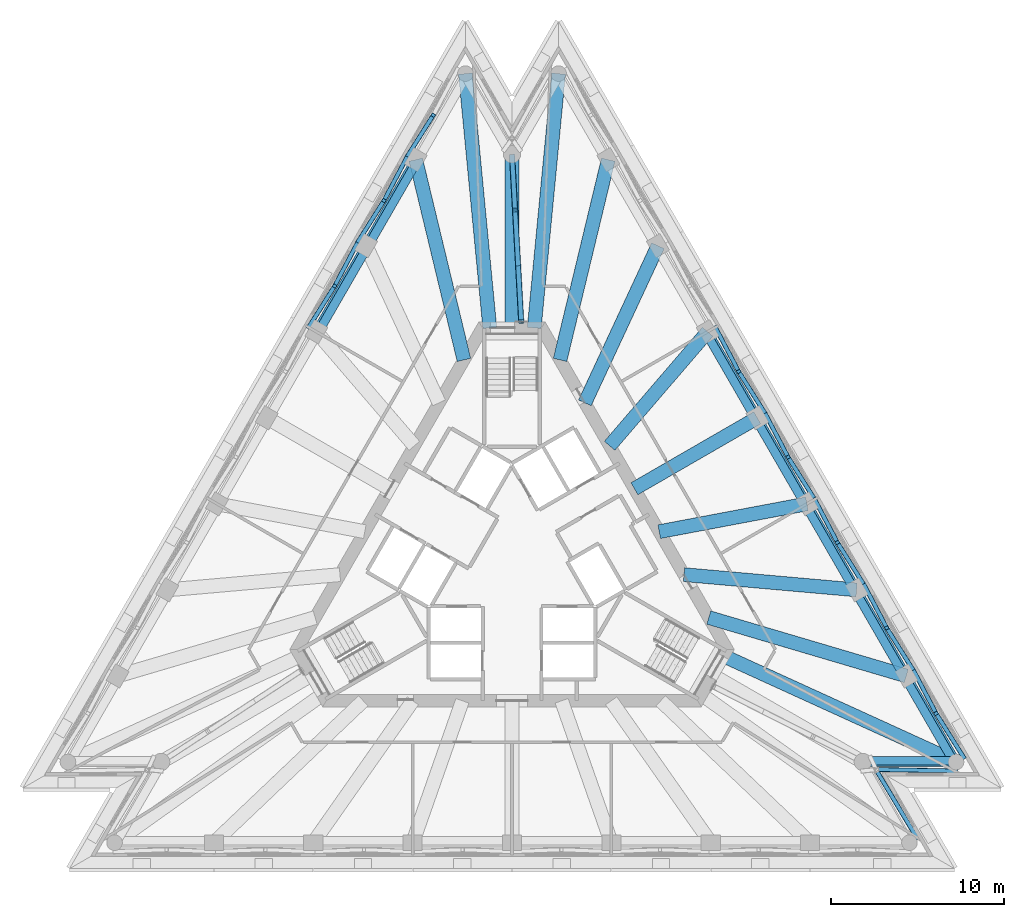
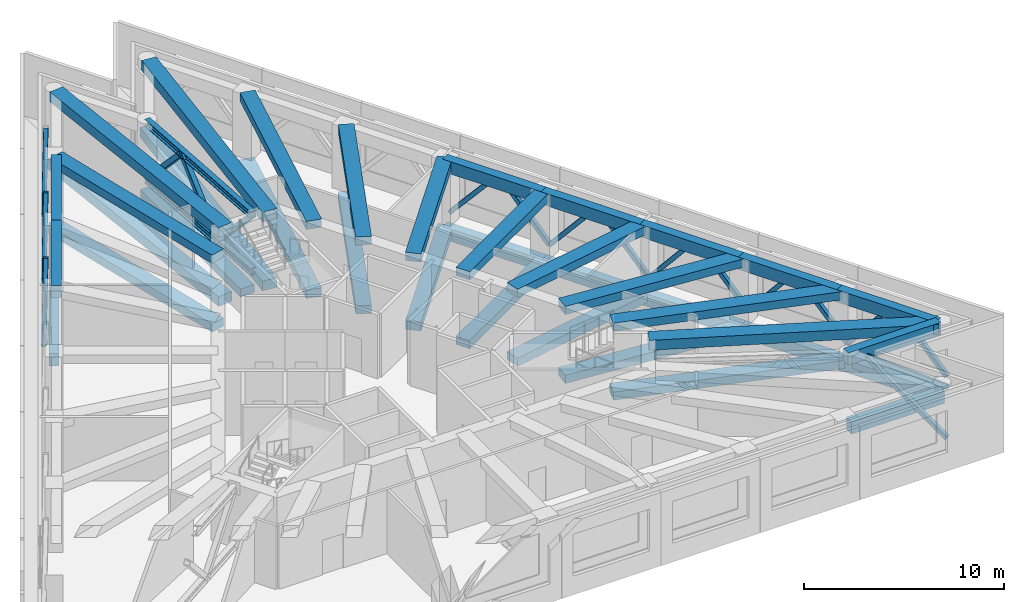
# One storey, part 3 of 12: 38 beams, 22 members.
"""IFC4 building model written with IfcOpenShell, lengths in metres."""

import ifcopenshell
import ifcopenshell.guid

model = None  # the IFC model being written
_history = None  # IfcOwnerHistory: only IFC2X3 demands one
_inside = {}  # id of a spatial element -> (the spatial element, [elements in it])
_under = {}  # id of a project, library or spatial element -> (it, [spatial elements below it])
_declared = {}  # id of a project -> (the project, [libraries it declares])
_typed = {}  # id of a type object -> (the type object, [elements of that type])
_made_of = {}  # id of a material, layer set ... -> (it, [elements and type objects made of it])


def new_model(schema):
    """Start an empty IFC model of exactly this schema.

    Asked for "IFC4X3", IfcOpenShell would pick the latest addendum, in which some entities
    have other attributes; the version numbers below select the first issue.
    IFC2X3 requires an IfcOwnerHistory on every rooted entity: one is made here for all.
    """
    global model, _history
    if schema == "IFC4X3":
        model = ifcopenshell.file(schema_version=(4, 3, 0, 0))
    else:
        model = ifcopenshell.file(schema=schema)
    _inside.clear()
    _under.clear()
    _declared.clear()
    _typed.clear()
    _made_of.clear()
    _history = None
    if model.schema == "IFC2X3":
        org = make("IfcOrganization", Name="unknown")
        user = make(
            "IfcPersonAndOrganization",
            ThePerson=make("IfcPerson", FamilyName="unknown"),
            TheOrganization=org,
        )
        app = make(
            "IfcApplication",
            ApplicationDeveloper=org,
            Version="unknown",
            ApplicationFullName="unknown",
            ApplicationIdentifier="unknown",
        )
        _history = make(
            "IfcOwnerHistory",
            OwningUser=user,
            OwningApplication=app,
            ChangeAction="ADDED",
            CreationDate=0,
        )
    return model


def make(cls, **values):
    """One entity of the class cls with the attributes given. An attribute that is None is left unset."""
    return model.create_entity(
        cls, **{name: value for name, value in values.items() if value is not None}
    )


def rooted(cls, **values):
    """An entity with a GlobalId (a new one), such as an element, a storey or a relation."""
    return make(cls, GlobalId=ifcopenshell.guid.new(), OwnerHistory=_history, **values)


def si_unit(unit_type, name, prefix=None):
    """IfcSIUnit, for example si_unit("LENGTHUNIT", "METRE", prefix="MILLI")."""
    return make("IfcSIUnit", UnitType=unit_type, Prefix=prefix, Name=name)


def assignment(units):
    """IfcUnitAssignment: the units of a project."""
    return None if units is None else make("IfcUnitAssignment", Units=units)


def point(xyz):
    """IfcCartesianPoint."""
    return None if xyz is None else make("IfcCartesianPoint", Coordinates=xyz)


def direction(xyz):
    """IfcDirection."""
    return None if xyz is None else make("IfcDirection", DirectionRatios=xyz)


def frame(location, z_axis=None, x_axis=None):
    """IfcAxis2Placement3D, a coordinate frame: its origin and axes. An axis left out is left unset."""
    return make(
        "IfcAxis2Placement3D",
        Location=point(location),
        Axis=direction(z_axis),
        RefDirection=direction(x_axis),
    )


def frame_2d(location, x_axis=None):
    """IfcAxis2Placement2D, a coordinate frame in the plane: its origin and x axis."""
    return make(
        "IfcAxis2Placement2D", Location=point(location), RefDirection=direction(x_axis)
    )


def origin():
    """The frame at (0, 0, 0) with its axes left unset."""
    return frame((0.0, 0.0, 0.0))


def origin_2d():
    """The frame at (0, 0) in the plane with its x axis left unset."""
    return frame_2d((0.0, 0.0))


def place(relative_to, where):
    """IfcLocalPlacement: puts the frame where relative to a parent placement (None: the world)."""
    return make(
        "IfcLocalPlacement", PlacementRelTo=relative_to, RelativePlacement=where
    )


def context(
    kind, dimensions, precision=None, world=None, true_north=None, identifier=None
):
    """IfcGeometricRepresentationContext, for example the 3D "Model" context."""
    return make(
        "IfcGeometricRepresentationContext",
        ContextIdentifier=identifier,
        ContextType=kind,
        CoordinateSpaceDimension=dimensions,
        Precision=precision,
        WorldCoordinateSystem=world,
        TrueNorth=true_north,
    )


def subcontext(parent, identifier, kind, view, scale=None):
    """IfcGeometricRepresentationSubContext, for example "Body" below "Model"."""
    return make(
        "IfcGeometricRepresentationSubContext",
        ContextIdentifier=identifier,
        ContextType=kind,
        ParentContext=parent,
        TargetScale=scale,
        TargetView=view,
    )


def project(units=None, contexts=None):
    """IfcProject with its units and contexts."""
    return rooted(
        "IfcProject",
        Name="project",
        RepresentationContexts=contexts,
        UnitsInContext=assignment(units),
    )


def spatial(cls, under=None, at=None, **own):
    """A site, building, storey or space (cls), placed at a placement, below another one or the project."""
    s = rooted(cls, ObjectPlacement=at, **own)
    if under is not None:
        _under.setdefault(under.id(), (under, []))[1].append(s)
    return s


def profile(cls, at=None, kind="AREA", **sizes):
    """A parametric profile (cls). Its sizes go by their IFC names, for example OverallWidth=200.0."""
    return make(cls, ProfileType=kind, Position=at, **sizes)


def rectangle(**sizes):
    """IfcRectangleProfileDef."""
    return profile("IfcRectangleProfileDef", **sizes)


def hollow_rectangle(**sizes):
    """IfcRectangleHollowProfileDef."""
    return profile("IfcRectangleHollowProfileDef", **sizes)


def i_section(**sizes):
    """IfcIShapeProfileDef."""
    return profile("IfcIShapeProfileDef", **sizes)


def extrude(swept, where, along, depth):
    """IfcExtrudedAreaSolid: the profile swept, set in the frame where, extruded along a direction by depth."""
    return make(
        "IfcExtrudedAreaSolid",
        SweptArea=swept,
        Position=where,
        ExtrudedDirection=direction(along),
        Depth=depth,
    )


def shape(context_of_items, identifier, shape_type, items):
    """IfcShapeRepresentation: the items that make up one representation, for example the "Body"."""
    return make(
        "IfcShapeRepresentation",
        ContextOfItems=context_of_items,
        RepresentationIdentifier=identifier,
        RepresentationType=shape_type,
        Items=items,
    )


def material(Name=None, Category=None):
    """IfcMaterial."""
    return make("IfcMaterial", Name=Name, Category=Category)


def material_profile(
    of_material, cross_section, Name=None, Category=None, Priority=None
):
    """IfcMaterialProfile: a cross section and its material."""
    return make(
        "IfcMaterialProfile",
        Name=Name,
        Material=of_material,
        Profile=cross_section,
        Priority=Priority,
        Category=Category,
    )


def profile_set(profiles, Name=None, composite=None):
    """IfcMaterialProfileSet."""
    return make(
        "IfcMaterialProfileSet",
        Name=Name,
        MaterialProfiles=profiles,
        CompositeProfile=composite,
    )


def made_of(thing, what):
    """Note that an element or type object is made of a material, layer set ...; save() writes the relation."""
    if what is not None:
        _made_of.setdefault(what.id(), (what, []))[1].append(thing)
    return thing


def type_object(cls, material=None, **own):
    """A type object (cls), such as IfcWallType, which elements share."""
    return made_of(rooted(cls, **own), material)


def element(
    cls,
    number,
    at=None,
    inside=None,
    cuts=None,
    type_object=None,
    material=None,
    context=None,
    identifier="Body",
    shape_type=None,
    held_by="IfcProductDefinitionShape",
    body=None,
    shapes=None,
    **own,
):
    """One element of the class cls, such as IfcWall. Its Tag is "e" and its number.

    at: its placement. inside: the storey or other place that contains it. cuts: it is an
    opening in that element (IfcRelVoidsElement). A single representation is given by context,
    identifier, shape_type and body (its items); several are given by shapes. held_by: the class
    of the entity that holds the representations. save() writes the other relations.
    """
    e = rooted(cls, Tag="e%d" % number, ObjectPlacement=at, **own)
    if body is not None:
        shapes = [shape(context, identifier, shape_type, body)]
    if shapes is not None:
        e.Representation = make(held_by, Representations=shapes)
    if inside is not None:
        _inside.setdefault(inside.id(), (inside, []))[1].append(e)
    if cuts is not None:
        rooted(
            "IfcRelVoidsElement", RelatingBuildingElement=cuts, RelatedOpeningElement=e
        )
    if type_object is not None:
        _typed.setdefault(type_object.id(), (type_object, []))[1].append(e)
    return made_of(e, material)


def aggregate(whole, parts):
    """IfcRelAggregates: a whole, such as a stair, and the parts it consists of."""
    return rooted("IfcRelAggregates", RelatingObject=whole, RelatedObjects=parts)


def save(model, path):
    """Write the relations noted so far, then the file.

    IfcRelAggregates (storeys below a building ...), IfcRelContainedInSpatialStructure (elements
    in a storey), IfcRelDefinesByType, IfcRelAssociatesMaterial and IfcRelDeclares: one each for
    every whole, place, type object, material and project.
    """
    for whole, parts in _under.values():
        aggregate(whole, parts)
    for where, things in _inside.values():
        rooted(
            "IfcRelContainedInSpatialStructure",
            RelatedElements=things,
            RelatingStructure=where,
        )
    for kind, things in _typed.values():
        rooted("IfcRelDefinesByType", RelatedObjects=things, RelatingType=kind)
    for what, things in _made_of.values():
        rooted("IfcRelAssociatesMaterial", RelatedObjects=things, RelatingMaterial=what)
    for by, libraries in _declared.values():
        rooted("IfcRelDeclares", RelatingContext=by, RelatedDefinitions=libraries)
    model.write(path)


model = new_model("IFC4")

# Units and contexts
model_context = context("Model", 3, precision=1e-05, world=origin(), true_north=direction((0.0, 1.0)))
body_context = subcontext(model_context, "Body", "Model", "MODEL_VIEW")
ifc_project = project(units=[si_unit("LENGTHUNIT", "METRE"), si_unit("AREAUNIT", "SQUARE_METRE"), si_unit("VOLUMEUNIT", "CUBIC_METRE"), si_unit("PLANEANGLEUNIT", "RADIAN"), si_unit("MASSUNIT", "GRAM", prefix="KILO")], contexts=[model_context])

# Site, building, storey
site_placement = place(None, origin())
site = spatial("IfcSite", under=ifc_project, at=site_placement, CompositionType="ELEMENT")
building_placement = place(site_placement, origin())
building = spatial("IfcBuilding", under=site, at=building_placement, Name="Triada Interchange Tower", CompositionType="ELEMENT")
storey_placement = place(building_placement, frame((0.0, 0.0, 251.300048828125)))
storey = spatial("IfcBuildingStorey", under=building, at=storey_placement, Name="L59", CompositionType="ELEMENT", Elevation=251.300048828125)

# Members
ifc_material_1 = material(Name="Steel S355", Category="steel")
ifc_material_profile_1 = material_profile(ifc_material_1, hollow_rectangle(XDim=0.25, YDim=0.25, WallThickness=0.012451171875, InnerFilletRadius=0.012451171875, OuterFilletRadius=0.018798828125, at=origin_2d()), Name="RHS 250x250x12.5")
ifc_profile_set_1 = profile_set([ifc_material_profile_1], Name="Steel S355")
member_type_1 = type_object("IfcMemberType", Name="Belt truss diagonal RHS 250x250x12.5", PredefinedType="BRACE", material=ifc_profile_set_1)
member_1_placement = place(storey_placement, frame((-5.99609375, 23.306884765625, 0.14990234375), z_axis=(0.335873730977, 0.531706338356, 0.777481322343), x_axis=(-0.845446400215, 0.534060281583, 0.0)))
element("IfcMember", 1, at=member_1_placement, inside=storey, type_object=member_type_1, Name="Belt truss diagonal 002 L59", PredefinedType="BRACE", context=body_context, shape_type="SweptSolid", body=[
    extrude(hollow_rectangle(XDim=0.25, YDim=0.25, WallThickness=0.012451171875, InnerFilletRadius=0.012451171875, OuterFilletRadius=0.018798828125, at=origin_2d()), origin(), (0.0, 0.0, 1.0), 4.3408203125),
])
member_2_placement = place(storey_placement, frame((-5.99609375, 23.30810546875, 0.14990234375), z_axis=(-0.308556702414, -0.583306417175, 0.751363018173), x_axis=(0.883946141034, -0.467588729282, 0.0)))
element("IfcMember", 2, at=member_2_placement, inside=storey, type_object=member_type_1, Name="Belt truss diagonal 003 L59", PredefinedType="BRACE", context=body_context, shape_type="SweptSolid", body=[
    extrude(hollow_rectangle(XDim=0.25, YDim=0.25, WallThickness=0.012451171875, InnerFilletRadius=0.012451171875, OuterFilletRadius=0.018798828125, at=origin_2d()), origin(), (0.0, 0.0, 1.0), 4.491943359375),
])
member_3_placement = place(storey_placement, frame((-8.861083984375, 18.345947265625, 0.14990234375), z_axis=(0.338743550582, 0.536409191273, 0.772992876072), x_axis=(-0.845518223273, 0.533946564848, 0.0)))
element("IfcMember", 3, at=member_3_placement, inside=storey, type_object=member_type_1, Name="Belt truss diagonal 004 L59", PredefinedType="BRACE", context=body_context, shape_type="SweptSolid", body=[
    extrude(hollow_rectangle(XDim=0.25, YDim=0.25, WallThickness=0.012451171875, InnerFilletRadius=0.012451171875, OuterFilletRadius=0.018798828125, at=origin_2d()), origin(), (0.0, 0.0, 1.0), 4.3662109375),
])
member_4_placement = place(storey_placement, frame((-8.861083984375, 18.344970703125, 0.14990234375), z_axis=(-0.306069523589, -0.579012036767, 0.75568942563), x_axis=(0.884082131664, -0.467331557325, 0.0)))
element("IfcMember", 4, at=member_4_placement, inside=storey, type_object=member_type_1, Name="Belt truss diagonal 005 L59", PredefinedType="BRACE", context=body_context, shape_type="SweptSolid", body=[
    extrude(hollow_rectangle(XDim=0.25, YDim=0.25, WallThickness=0.012451171875, InnerFilletRadius=0.012451171875, OuterFilletRadius=0.018798828125, at=origin_2d()), origin(), (0.0, 0.0, 1.0), 4.466064453125),
])
member_5_placement = place(storey_placement, frame((-11.72509765625, 13.384033203125, 0.14990234375), z_axis=(0.341015025147, 0.540997091428, 0.76878534045), x_axis=(-0.845959714876, 0.533246810405, 0.0)))
element("IfcMember", 5, at=member_5_placement, inside=storey, type_object=member_type_1, Name="Belt truss diagonal 006 L59", PredefinedType="BRACE", context=body_context, shape_type="SweptSolid", body=[
    extrude(hollow_rectangle(XDim=0.25, YDim=0.25, WallThickness=0.012451171875, InnerFilletRadius=0.012451171875, OuterFilletRadius=0.018798828125, at=origin_2d()), origin(), (0.0, 0.0, 1.0), 4.39013671875),
])
member_6_placement = place(storey_placement, frame((23.361083984375, -16.074951171875, 0.14990234375), z_axis=(-0.413706075281, 0.688490331303, 0.595674698957), x_axis=(-0.857156666014, -0.515055773589, 0.0)))
element("IfcMember", 6, at=member_6_placement, inside=storey, type_object=member_type_1, Name="Belt truss diagonal 037 L59", PredefinedType="BRACE", context=body_context, shape_type="SweptSolid", body=[
    extrude(hollow_rectangle(XDim=0.25, YDim=0.25, WallThickness=0.012451171875, InnerFilletRadius=0.012451171875, OuterFilletRadius=0.018798828125, at=origin_2d()), origin(), (0.0, 0.0, 1.0), 5.665771484375),
])
member_7_placement = place(storey_placement, frame((25.60107421875, -12.194091796875, 0.14990234375), z_axis=(-0.803027764649, 0.014135840005, 0.595773939704), x_axis=(-0.017600450428, -0.999845100075, 0.0)))
element("IfcMember", 7, at=member_7_placement, inside=storey, type_object=member_type_1, Name="Belt truss diagonal 040 L59", PredefinedType="BRACE", context=body_context, shape_type="SweptSolid", body=[
    extrude(hollow_rectangle(XDim=0.25, YDim=0.25, WallThickness=0.012451171875, InnerFilletRadius=0.012451171875, OuterFilletRadius=0.018798828125, at=origin_2d()), origin(), (0.0, 0.0, 1.0), 5.664794921875),
])
member_8_placement = place(storey_placement, frame((26.047119140625, -11.422119140625, 0.14990234375), z_axis=(-0.353115234639, 0.563179348052, 0.747086777418), x_axis=(-0.847234660744, -0.53121881521, 0.0)))
element("IfcMember", 8, at=member_8_placement, inside=storey, type_object=member_type_1, Name="Belt truss diagonal 041 L59", PredefinedType="BRACE", context=body_context, shape_type="SweptSolid", body=[
    extrude(hollow_rectangle(XDim=0.25, YDim=0.25, WallThickness=0.012451171875, InnerFilletRadius=0.012451171875, OuterFilletRadius=0.018798828125, at=origin_2d()), origin(), (0.0, 0.0, 1.0), 4.517578125),
])
member_9_placement = place(storey_placement, frame((23.18310546875, -6.4609375, 0.14990234375), z_axis=(0.292297771348, -0.556811225005, 0.777510946916), x_axis=(0.885416306414, 0.464798842872, 0.0)))
element("IfcMember", 9, at=member_9_placement, inside=storey, type_object=member_type_1, Name="Belt truss diagonal 042 L59", PredefinedType="BRACE", context=body_context, shape_type="SweptSolid", body=[
    extrude(hollow_rectangle(XDim=0.25, YDim=0.25, WallThickness=0.012451171875, InnerFilletRadius=0.012451171875, OuterFilletRadius=0.018798828125, at=origin_2d()), origin(), (0.0, 0.0, 1.0), 4.3408203125),
])
member_10_placement = place(storey_placement, frame((23.18310546875, -6.4599609375, 0.14990234375), z_axis=(-0.351100678401, 0.55877183818, 0.751333711798), x_axis=(-0.846723474126, -0.532033230508, 0.0)))
element("IfcMember", 10, at=member_10_placement, inside=storey, type_object=member_type_1, Name="Belt truss diagonal 043 L59", PredefinedType="BRACE", context=body_context, shape_type="SweptSolid", body=[
    extrude(hollow_rectangle(XDim=0.25, YDim=0.25, WallThickness=0.012451171875, InnerFilletRadius=0.012451171875, OuterFilletRadius=0.018798828125, at=origin_2d()), origin(), (0.0, 0.0, 1.0), 4.491943359375),
])
member_11_placement = place(storey_placement, frame((20.318115234375, -1.4990234375, 0.14990234375), z_axis=(0.295015117295, -0.561451518963, 0.773135351941), x_axis=(0.885233628996, 0.465146667293, 0.0)))
element("IfcMember", 11, at=member_11_placement, inside=storey, type_object=member_type_1, Name="Belt truss diagonal 044 L59", PredefinedType="BRACE", context=body_context, shape_type="SweptSolid", body=[
    extrude(hollow_rectangle(XDim=0.25, YDim=0.25, WallThickness=0.012451171875, InnerFilletRadius=0.012451171875, OuterFilletRadius=0.018798828125, at=origin_2d()), origin(), (0.0, 0.0, 1.0), 4.365234375),
])
member_12_placement = place(storey_placement, frame((20.318115234375, -1.5, 0.14990234375), z_axis=(-0.3484193455, 0.55460663311, 0.755655637306), x_axis=(-0.8467675955, -0.531963005491, 0.0)))
element("IfcMember", 12, at=member_12_placement, inside=storey, type_object=member_type_1, Name="Belt truss diagonal 045 L59", PredefinedType="BRACE", context=body_context, shape_type="SweptSolid", body=[
    extrude(hollow_rectangle(XDim=0.25, YDim=0.25, WallThickness=0.012451171875, InnerFilletRadius=0.012451171875, OuterFilletRadius=0.018798828125, at=origin_2d()), origin(), (0.0, 0.0, 1.0), 4.46630859375),
])
member_13_placement = place(storey_placement, frame((17.4541015625, 3.4619140625, 0.14990234375), z_axis=(0.297890694584, -0.565975637385, 0.768721478799), x_axis=(0.884912564378, 0.465757182882, 0.0)))
element("IfcMember", 13, at=member_13_placement, inside=storey, type_object=member_type_1, Name="Belt truss diagonal 046 L59", PredefinedType="BRACE", context=body_context, shape_type="SweptSolid", body=[
    extrude(hollow_rectangle(XDim=0.25, YDim=0.25, WallThickness=0.012451171875, InnerFilletRadius=0.012451171875, OuterFilletRadius=0.018798828125, at=origin_2d()), origin(), (0.0, 0.0, 1.0), 4.390380859375),
])
member_14_placement = place(storey_placement, frame((17.4541015625, 3.4619140625, 0.14990234375), z_axis=(-0.346120822923, 0.550132000474, 0.759970498107), x_axis=(-0.846412175784, -0.532528336039, 0.0)))
element("IfcMember", 14, at=member_14_placement, inside=storey, type_object=member_type_1, Name="Belt truss diagonal 047 L59", PredefinedType="BRACE", context=body_context, shape_type="SweptSolid", body=[
    extrude(hollow_rectangle(XDim=0.25, YDim=0.25, WallThickness=0.012451171875, InnerFilletRadius=0.012451171875, OuterFilletRadius=0.018798828125, at=origin_2d()), origin(), (0.0, 0.0, 1.0), 4.44091796875),
])
member_15_placement = place(storey_placement, frame((14.590087890625, 8.423095703125, 0.14990234375), z_axis=(0.300546629633, -0.570347366703, 0.764444638094), x_axis=(0.884685532839, 0.466188275255, 0.0)))
element("IfcMember", 15, at=member_15_placement, inside=storey, type_object=member_type_1, Name="Belt truss diagonal 048 L59", PredefinedType="BRACE", context=body_context, shape_type="SweptSolid", body=[
    extrude(hollow_rectangle(XDim=0.25, YDim=0.25, WallThickness=0.012451171875, InnerFilletRadius=0.012451171875, OuterFilletRadius=0.018798828125, at=origin_2d()), origin(), (0.0, 0.0, 1.0), 4.4150390625),
])
member_16_placement = place(storey_placement, frame((14.590087890625, 8.424072265625, 0.14990234375), z_axis=(-0.34379090896, 0.545542762738, 0.764323822042), x_axis=(-0.846022291966, -0.533147523203, 0.0)))
element("IfcMember", 16, at=member_16_placement, inside=storey, type_object=member_type_1, Name="Belt truss diagonal 049 L59", PredefinedType="BRACE", context=body_context, shape_type="SweptSolid", body=[
    extrude(hollow_rectangle(XDim=0.25, YDim=0.25, WallThickness=0.012451171875, InnerFilletRadius=0.012451171875, OuterFilletRadius=0.018798828125, at=origin_2d()), origin(), (0.0, 0.0, 1.0), 4.415771484375),
])
member_17_placement = place(storey_placement, frame((11.72509765625, 13.385009765625, 0.14990234375), z_axis=(0.303330890613, -0.574717745074, 0.760059132106), x_axis=(0.88437990216, 0.466767810219, 0.0)))
element("IfcMember", 17, at=member_17_placement, inside=storey, type_object=member_type_1, Name="Belt truss diagonal 050 L59", PredefinedType="BRACE", context=body_context, shape_type="SweptSolid", body=[
    extrude(hollow_rectangle(XDim=0.25, YDim=0.25, WallThickness=0.012451171875, InnerFilletRadius=0.012451171875, OuterFilletRadius=0.018798828125, at=origin_2d()), origin(), (0.0, 0.0, 1.0), 4.4404296875),
])
ifc_material_2 = material(Name="Steel S460M", Category="steel")
ifc_material_profile_2 = material_profile(ifc_material_2, i_section(OverallWidth=0.306884765625, OverallDepth=0.431884765625, WebThickness=0.02099609375, FlangeThickness=0.0400390625, FilletRadius=0.027099609375, at=origin_2d()), Name="HEM 400")
ifc_profile_set_2 = profile_set([ifc_material_profile_2], Name="Steel S460M")
member_type_2 = type_object("IfcMemberType", Name="Outrigger chord HEM 400", PredefinedType="CHORD", material=ifc_profile_set_2)
for number, where, z_axis, x_axis, name in (
    (18, (0.533935546875, 13.718017578125, 0.216064453125), (-0.055297771229, 0.998469907657, 0.0), (-0.998469907657, -0.055297771229, 0.0), "Outrigger bottom chord N L59"),
    (19, (0.533935546875, 13.718017578125, 3.683837890625), (-0.055297771229, 0.998469907657, 0.0), (-0.998469907657, -0.055297771229, 0.0), "Outrigger top chord N L59"),
):
    element("IfcMember", number, at=place(storey_placement, frame(where, z_axis=z_axis, x_axis=x_axis)), inside=storey, type_object=member_type_2, Name=name, PredefinedType="CHORD", context=body_context, shape_type="SweptSolid", body=[
        extrude(i_section(OverallWidth=0.306884765625, OverallDepth=0.431884765625, WebThickness=0.02099609375, FlangeThickness=0.0400390625, FilletRadius=0.027099609375, at=origin_2d()), origin(), (0.0, 0.0, 1.0), 9.65576171875),
    ])
ifc_material_profile_3 = material_profile(ifc_material_1, hollow_rectangle(XDim=0.300048828125, YDim=0.300048828125, WallThickness=0.01611328125, InnerFilletRadius=0.01611328125, OuterFilletRadius=0.02392578125, at=origin_2d()), Name="RHS 300x300x16")
ifc_profile_set_3 = profile_set([ifc_material_profile_3], Name="Steel S355")
member_type_3 = type_object("IfcMemberType", Name="Outrigger diagonal RHS 300x300x16", PredefinedType="BRACE", material=ifc_profile_set_3)
member_18_placement = place(storey_placement, frame((0.533935546875, 13.718017578125, 3.683837890625), z_axis=(-0.037616522077, 0.679264604414, -0.73292877857), x_axis=(-0.998470139581, -0.055293583391, 0.0)))
element("IfcMember", 20, at=member_18_placement, inside=storey, type_object=member_type_3, Name="Outrigger diagonal N 1 L59", PredefinedType="BRACE", context=body_context, shape_type="SweptSolid", body=[
    extrude(hollow_rectangle(XDim=0.300048828125, YDim=0.300048828125, WallThickness=0.01611328125, InnerFilletRadius=0.01611328125, OuterFilletRadius=0.02392578125, at=origin_2d()), origin(), (0.0, 0.0, 1.0), 4.7314453125),
])
member_19_placement = place(storey_placement, frame((0.35595703125, 16.931884765625, 0.216064453125), z_axis=(-0.037620477646, 0.679181215774, 0.733005849773), x_axis=(-0.998469443651, -0.055306148805, 0.0)))
element("IfcMember", 21, at=member_19_placement, inside=storey, type_object=member_type_3, Name="Outrigger diagonal N 2 L59", PredefinedType="BRACE", context=body_context, shape_type="SweptSolid", body=[
    extrude(hollow_rectangle(XDim=0.300048828125, YDim=0.300048828125, WallThickness=0.01611328125, InnerFilletRadius=0.01611328125, OuterFilletRadius=0.02392578125, at=origin_2d()), origin(), (0.0, 0.0, 1.0), 4.73095703125),
])
member_20_placement = place(storey_placement, frame((0.177978515625, 20.14501953125, 3.683837890625), z_axis=(-0.037616522077, 0.679264604414, -0.73292877857), x_axis=(-0.998470139581, -0.055293583391, 0.0)))
element("IfcMember", 22, at=member_20_placement, inside=storey, type_object=member_type_3, Name="Outrigger diagonal N 3 L59", PredefinedType="BRACE", context=body_context, shape_type="SweptSolid", body=[
    extrude(hollow_rectangle(XDim=0.300048828125, YDim=0.300048828125, WallThickness=0.01611328125, InnerFilletRadius=0.01611328125, OuterFilletRadius=0.02392578125, at=origin_2d()), origin(), (0.0, 0.0, 1.0), 4.7314453125),
])

# Beams
ifc_material_3 = material(Name="Concrete C50/60", Category="concrete")
ifc_material_profile_4 = material_profile(ifc_material_3, rectangle(XDim=0.800048828125, YDim=0.5, at=origin_2d()), Name="RC 800x500")
ifc_profile_set_4 = profile_set([ifc_material_profile_4], Name="Concrete C50/60")
beam_type_1 = type_object("IfcBeamType", Name="Radial band beam C RC 800x500", PredefinedType="BEAM", material=ifc_profile_set_4)
beam_1_placement = place(storey_placement, frame((-5.550048828125, 23.050048828125, -0.550048828125), z_axis=(0.234067151416, -0.972220432118, 0.0), x_axis=(0.972220432118, 0.234067151416, 0.0)))
element("IfcBeam", 23, at=beam_1_placement, inside=storey, type_object=beam_type_1, Name="Radial band beam BC02 L59", PredefinedType="BEAM", context=body_context, shape_type="SweptSolid", body=[
    extrude(rectangle(XDim=0.800048828125, YDim=0.5, at=origin_2d()), origin(), (0.0, 0.0, 1.0), 11.876953125),
])
beam_2_placement = place(storey_placement, frame((22.737060546875, -6.718017578125, -0.550048828125), z_axis=(-0.95900831421, 0.283377933645, 0.0), x_axis=(-0.283377933645, -0.95900831421, 0.0)))
element("IfcBeam", 24, at=beam_2_placement, inside=storey, type_object=beam_type_1, Name="Radial band beam BC22 L59", PredefinedType="BEAM", context=body_context, shape_type="SweptSolid", body=[
    extrude(rectangle(XDim=0.800048828125, YDim=0.5, at=origin_2d()), origin(), (0.0, 0.0, 1.0), 11.8779296875),
])
beam_3_placement = place(storey_placement, frame((19.8720703125, -1.757080078125, -0.550048828125), z_axis=(-0.996114611553, 0.088066342325, 0.0), x_axis=(-0.088066342325, -0.996114611553, 0.0)))
element("IfcBeam", 25, at=beam_3_placement, inside=storey, type_object=beam_type_1, Name="Radial band beam BC23 L59", PredefinedType="BEAM", context=body_context, shape_type="SweptSolid", body=[
    extrude(rectangle(XDim=0.800048828125, YDim=0.5, at=origin_2d()), origin(), (0.0, 0.0, 1.0), 9.993896484375),
])
beam_4_placement = place(storey_placement, frame((17.008056640625, 3.205078125, -0.550048828125), z_axis=(-0.982698994393, -0.185209844282, 0.0), x_axis=(0.185209844282, -0.982698994393, 0.0)))
element("IfcBeam", 26, at=beam_4_placement, inside=storey, type_object=beam_type_1, Name="Radial band beam BC24 L59", PredefinedType="BEAM", context=body_context, shape_type="SweptSolid", body=[
    extrude(rectangle(XDim=0.800048828125, YDim=0.5, at=origin_2d()), origin(), (0.0, 0.0, 1.0), 8.6708984375),
])
beam_5_placement = place(storey_placement, frame((14.14404296875, 8.166015625, -0.550048828125), z_axis=(-0.866025587421, -0.499999681933, 0.0), x_axis=(0.499999681933, -0.866025587421, 0.0)))
element("IfcBeam", 27, at=beam_5_placement, inside=storey, type_object=beam_type_1, Name="Radial band beam BC25 L59", PredefinedType="BEAM", context=body_context, shape_type="SweptSolid", body=[
    extrude(rectangle(XDim=0.800048828125, YDim=0.5, at=origin_2d()), origin(), (0.0, 0.0, 1.0), 8.18212890625),
])
beam_6_placement = place(storey_placement, frame((11.279052734375, 13.126953125, -0.550048828125), z_axis=(-0.651697648525, -0.75847885594, 0.0), x_axis=(0.75847885594, -0.651697648525, 0.0)))
element("IfcBeam", 28, at=beam_6_placement, inside=storey, type_object=beam_type_1, Name="Radial band beam BC26 L59", PredefinedType="BEAM", context=body_context, shape_type="SweptSolid", body=[
    extrude(rectangle(XDim=0.800048828125, YDim=0.5, at=origin_2d()), origin(), (0.0, 0.0, 1.0), 8.669921875),
])
beam_7_placement = place(storey_placement, frame((8.4150390625, 18.087890625, -0.550048828125), z_axis=(-0.421827422938, -0.90667614133, 0.0), x_axis=(0.90667614133, -0.421827422938, 0.0)))
element("IfcBeam", 29, at=beam_7_placement, inside=storey, type_object=beam_type_1, Name="Radial band beam BC27 L59", PredefinedType="BEAM", context=body_context, shape_type="SweptSolid", body=[
    extrude(rectangle(XDim=0.800048828125, YDim=0.5, at=origin_2d()), origin(), (0.0, 0.0, 1.0), 9.994873046875),
])
beam_8_placement = place(storey_placement, frame((5.550048828125, 23.050048828125, -0.550048828125), z_axis=(-0.234067151416, -0.972220432118, 0.0), x_axis=(0.972220432118, -0.234067151416, 0.0)))
element("IfcBeam", 30, at=beam_8_placement, inside=storey, type_object=beam_type_1, Name="Radial band beam BC28 L59", PredefinedType="BEAM", context=body_context, shape_type="SweptSolid", body=[
    extrude(rectangle(XDim=0.800048828125, YDim=0.5, at=origin_2d()), origin(), (0.0, 0.0, 1.0), 11.876953125),
])
beam_9_placement = place(storey_placement, frame((0.0, 23.35888671875, -0.550048828125), z_axis=(0.0, -1.0, 0.0), x_axis=(1.0, 0.0, 0.0)))
element("IfcBeam", 31, at=beam_9_placement, inside=storey, type_object=beam_type_1, Name="Radial band beam BC30 L59", PredefinedType="BEAM", context=body_context, shape_type="SweptSolid", body=[
    extrude(rectangle(XDim=0.800048828125, YDim=0.5, at=origin_2d()), origin(), (0.0, 0.0, 1.0), 10.0087890625),
])
beam_10_placement = place(storey_placement, frame((-5.513916015625, 22.89404296875, 3.64990234375), z_axis=(0.234163245553, -0.972197291928, 0.0), x_axis=(0.972197291928, 0.234163245553, 0.0)))
element("IfcBeam", 32, at=beam_10_placement, inside=storey, type_object=beam_type_1, Name="Radial band beam BC02 L60", PredefinedType="BEAM", context=body_context, shape_type="SweptSolid", body=[
    extrude(rectangle(XDim=0.800048828125, YDim=0.5, at=origin_2d()), origin(), (0.0, 0.0, 1.0), 11.7177734375),
])
beam_11_placement = place(storey_placement, frame((22.5830078125, -6.672119140625, 3.64990234375), z_axis=(-0.959017064666, 0.283348318647, 0.0), x_axis=(-0.283348318647, -0.959017064666, 0.0)))
element("IfcBeam", 33, at=beam_11_placement, inside=storey, type_object=beam_type_1, Name="Radial band beam BC22 L60", PredefinedType="BEAM", context=body_context, shape_type="SweptSolid", body=[
    extrude(rectangle(XDim=0.800048828125, YDim=0.5, at=origin_2d()), origin(), (0.0, 0.0, 1.0), 11.71728515625),
])
beam_12_placement = place(storey_placement, frame((19.738037109375, -1.743896484375, 3.64990234375), z_axis=(-0.996117788909, 0.088030395992, 0.0), x_axis=(-0.088030395992, -0.996117788909, 0.0)))
element("IfcBeam", 34, at=beam_12_placement, inside=storey, type_object=beam_type_1, Name="Radial band beam BC23 L60", PredefinedType="BEAM", context=body_context, shape_type="SweptSolid", body=[
    extrude(rectangle(XDim=0.800048828125, YDim=0.5, at=origin_2d()), origin(), (0.0, 0.0, 1.0), 9.859375),
])
beam_13_placement = place(storey_placement, frame((16.89306640625, 3.18408203125, 3.64990234375), z_axis=(-0.982705385123, -0.185175932697, 0.0), x_axis=(0.185175932697, -0.982705385123, 0.0)))
element("IfcBeam", 35, at=beam_13_placement, inside=storey, type_object=beam_type_1, Name="Radial band beam BC24 L60", PredefinedType="BEAM", context=body_context, shape_type="SweptSolid", body=[
    extrude(rectangle(XDim=0.800048828125, YDim=0.5, at=origin_2d()), origin(), (0.0, 0.0, 1.0), 8.553955078125),
])
beam_14_placement = place(storey_placement, frame((14.048095703125, 8.111083984375, 3.64990234375), z_axis=(-0.866000721582, -0.500042748392, 0.0), x_axis=(0.500042748392, -0.866000721582, 0.0)))
element("IfcBeam", 36, at=beam_14_placement, inside=storey, type_object=beam_type_1, Name="Radial band beam BC25 L60", PredefinedType="BEAM", context=body_context, shape_type="SweptSolid", body=[
    extrude(rectangle(XDim=0.800048828125, YDim=0.5, at=origin_2d()), origin(), (0.0, 0.0, 1.0), 8.071533203125),
])
beam_15_placement = place(storey_placement, frame((11.2041015625, 13.0390625, 3.64990234375), z_axis=(-0.651735706021, -0.758446154646, 0.0), x_axis=(0.758446154646, -0.651735706021, 0.0)))
element("IfcBeam", 37, at=beam_15_placement, inside=storey, type_object=beam_type_1, Name="Radial band beam BC26 L60", PredefinedType="BEAM", context=body_context, shape_type="SweptSolid", body=[
    extrude(rectangle(XDim=0.800048828125, YDim=0.5, at=origin_2d()), origin(), (0.0, 0.0, 1.0), 8.554443359375),
])
beam_16_placement = place(storey_placement, frame((8.35888671875, 17.966064453125, 3.64990234375), z_axis=(-0.421789924473, -0.906693586397, 0.0), x_axis=(0.906693586397, -0.421789924473, 0.0)))
element("IfcBeam", 38, at=beam_16_placement, inside=storey, type_object=beam_type_1, Name="Radial band beam BC27 L60", PredefinedType="BEAM", context=body_context, shape_type="SweptSolid", body=[
    extrude(rectangle(XDim=0.800048828125, YDim=0.5, at=origin_2d()), origin(), (0.0, 0.0, 1.0), 9.860107421875),
])
beam_17_placement = place(storey_placement, frame((5.513916015625, 22.89404296875, 3.64990234375), z_axis=(-0.234163245553, -0.972197291928, 0.0), x_axis=(0.972197291928, -0.234163245553, 0.0)))
element("IfcBeam", 39, at=beam_17_placement, inside=storey, type_object=beam_type_1, Name="Radial band beam BC28 L60", PredefinedType="BEAM", context=body_context, shape_type="SweptSolid", body=[
    extrude(rectangle(XDim=0.800048828125, YDim=0.5, at=origin_2d()), origin(), (0.0, 0.0, 1.0), 11.7177734375),
])
ifc_material_profile_5 = material_profile(ifc_material_3, rectangle(XDim=0.800048828125, YDim=0.60009765625, at=origin_2d()), Name="RC 800x600")
ifc_profile_set_5 = profile_set([ifc_material_profile_5], Name="Concrete C50/60")
beam_type_2 = type_object("IfcBeamType", Name="Radial band beam C RC 800x600", PredefinedType="BEAM", material=ifc_profile_set_5)
for number, where, z_axis, x_axis, name in (
    (40, (-2.68603515625, 28.010986328125, -0.60009765625), (0.095463823601, -0.995432899991, 0.0), (0.995432899991, 0.095463823601, 0.0), "Radial band beam BC01 L59"),
    (41, (2.68603515625, 28.010986328125, -0.60009765625), (-0.095463823601, -0.995432899991, 0.0), (0.995432899991, -0.095463823601, 0.0), "Radial band beam BC29 L59"),
):
    element("IfcBeam", number, at=place(storey_placement, frame(where, z_axis=z_axis, x_axis=x_axis)), inside=storey, type_object=beam_type_2, Name=name, PredefinedType="BEAM", context=body_context, shape_type="SweptSolid", body=[
        extrude(rectangle(XDim=0.800048828125, YDim=0.60009765625, at=origin_2d()), origin(), (0.0, 0.0, 1.0), 14.728271484375),
    ])
beam_18_placement = place(storey_placement, frame((-2.6689453125, 27.821044921875, 3.599853515625), z_axis=(0.095474001437, -0.995431923865, 0.0), x_axis=(0.995431923865, 0.095474001437, 0.0)))
element("IfcBeam", 42, at=beam_18_placement, inside=storey, type_object=beam_type_2, Name="Radial band beam BC01 L60", PredefinedType="BEAM", context=body_context, shape_type="SweptSolid", body=[
    extrude(rectangle(XDim=0.800048828125, YDim=0.60009765625, at=origin_2d()), origin(), (0.0, 0.0, 1.0), 14.537353515625),
])
beam_19_placement = place(storey_placement, frame((25.427978515625, -11.59912109375, 3.599853515625), z_axis=(-0.909812373258, 0.415019813341, 0.0), x_axis=(-0.415019813341, -0.909812373258, 0.0)))
element("IfcBeam", 43, at=beam_19_placement, inside=storey, type_object=beam_type_2, Name="Radial band beam BC21 L60", PredefinedType="BEAM", context=body_context, shape_type="SweptSolid", body=[
    extrude(rectangle(XDim=0.800048828125, YDim=0.60009765625, at=origin_2d()), origin(), (0.0, 0.0, 1.0), 14.537109375),
])
beam_20_placement = place(storey_placement, frame((2.6689453125, 27.821044921875, 3.599853515625), z_axis=(-0.095474001437, -0.995431923865, 0.0), x_axis=(0.995431923865, -0.095474001437, 0.0)))
element("IfcBeam", 44, at=beam_20_placement, inside=storey, type_object=beam_type_2, Name="Radial band beam BC29 L60", PredefinedType="BEAM", context=body_context, shape_type="SweptSolid", body=[
    extrude(rectangle(XDim=0.800048828125, YDim=0.60009765625, at=origin_2d()), origin(), (0.0, 0.0, 1.0), 14.537353515625),
])
ifc_material_profile_6 = material_profile(ifc_material_3, rectangle(XDim=0.5, YDim=0.75, at=origin_2d()), Name="RC 500x750")
ifc_profile_set_6 = profile_set([ifc_material_profile_6], Name="Concrete C50/60")
beam_type_3 = type_object("IfcBeamType", Name="Spandrel beam C RC 500x750", PredefinedType="BEAM", material=ifc_profile_set_6)
beam_21_placement = place(storey_placement, frame((-5.550048828125, 23.050048828125, -0.675048828125), z_axis=(-0.500011369369, -0.866018839577, 0.0), x_axis=(0.866018839577, -0.500011369369, 0.0)))
element("IfcBeam", 45, at=beam_21_placement, inside=storey, type_object=beam_type_3, Name="Spandrel beam EC02 L59", PredefinedType="BEAM", context=body_context, shape_type="SweptSolid", body=[
    extrude(rectangle(XDim=0.5, YDim=0.75, at=origin_2d()), origin(), (0.0, 0.0, 1.0), 5.729736328125),
])
beam_22_placement = place(storey_placement, frame((-8.4150390625, 18.087890625, -0.675048828125), z_axis=(-0.499975787251, -0.86603938257, 0.0), x_axis=(0.86603938257, -0.499975787251, 0.0)))
element("IfcBeam", 46, at=beam_22_placement, inside=storey, type_object=beam_type_3, Name="Spandrel beam EC03 L59", PredefinedType="BEAM", context=body_context, shape_type="SweptSolid", body=[
    extrude(rectangle(XDim=0.5, YDim=0.75, at=origin_2d()), origin(), (0.0, 0.0, 1.0), 5.728271484375),
])
beam_23_placement = place(storey_placement, frame((20.22900390625, -11.678955078125, -0.675048828125), z_axis=(1.0, 0.0, 0.0), x_axis=(0.0, 1.0, 0.0)))
element("IfcBeam", 47, at=beam_23_placement, inside=storey, type_object=beam_type_3, Name="Spandrel beam EC20 L59", PredefinedType="BEAM", context=body_context, shape_type="SweptSolid", body=[
    extrude(rectangle(XDim=0.5, YDim=0.75, at=origin_2d()), origin(), (0.0, 0.0, 1.0), 5.3720703125),
])
beam_24_placement = place(storey_placement, frame((25.60107421875, -11.678955078125, -0.675048828125), z_axis=(-0.499975787251, 0.86603938257, 0.0), x_axis=(-0.86603938257, -0.499975787251, 0.0)))
element("IfcBeam", 48, at=beam_24_placement, inside=storey, type_object=beam_type_3, Name="Spandrel beam EC21 L59", PredefinedType="BEAM", context=body_context, shape_type="SweptSolid", body=[
    extrude(rectangle(XDim=0.5, YDim=0.75, at=origin_2d()), origin(), (0.0, 0.0, 1.0), 5.728271484375),
])
beam_25_placement = place(storey_placement, frame((22.737060546875, -6.718017578125, -0.675048828125), z_axis=(-0.500103635176, 0.865965561719, 0.0), x_axis=(-0.865965561719, -0.500103635176, 0.0)))
element("IfcBeam", 49, at=beam_25_placement, inside=storey, type_object=beam_type_3, Name="Spandrel beam EC22 L59", PredefinedType="BEAM", context=body_context, shape_type="SweptSolid", body=[
    extrude(rectangle(XDim=0.5, YDim=0.75, at=origin_2d()), origin(), (0.0, 0.0, 1.0), 5.728759765625),
])
beam_26_placement = place(storey_placement, frame((19.8720703125, -1.757080078125, -0.675048828125), z_axis=(-0.499883529308, 0.866092637728, 0.0), x_axis=(-0.866092637728, -0.499883529308, 0.0)))
element("IfcBeam", 50, at=beam_26_placement, inside=storey, type_object=beam_type_3, Name="Spandrel beam EC23 L59", PredefinedType="BEAM", context=body_context, shape_type="SweptSolid", body=[
    extrude(rectangle(XDim=0.5, YDim=0.75, at=origin_2d()), origin(), (0.0, 0.0, 1.0), 5.729248046875),
])
beam_27_placement = place(storey_placement, frame((17.008056640625, 3.205078125, -0.675048828125), z_axis=(-0.499975787251, 0.86603938257, 0.0), x_axis=(-0.86603938257, -0.499975787251, 0.0)))
element("IfcBeam", 51, at=beam_27_placement, inside=storey, type_object=beam_type_3, Name="Spandrel beam EC24 L59", PredefinedType="BEAM", context=body_context, shape_type="SweptSolid", body=[
    extrude(rectangle(XDim=0.5, YDim=0.75, at=origin_2d()), origin(), (0.0, 0.0, 1.0), 5.728271484375),
])
beam_28_placement = place(storey_placement, frame((14.14404296875, 8.166015625, -0.675048828125), z_axis=(-0.500103635176, 0.865965561719, 0.0), x_axis=(-0.865965561719, -0.500103635176, 0.0)))
element("IfcBeam", 52, at=beam_28_placement, inside=storey, type_object=beam_type_3, Name="Spandrel beam EC25 L59", PredefinedType="BEAM", context=body_context, shape_type="SweptSolid", body=[
    extrude(rectangle(XDim=0.5, YDim=0.75, at=origin_2d()), origin(), (0.0, 0.0, 1.0), 5.728759765625),
])
beam_29_placement = place(storey_placement, frame((-5.513916015625, 22.89404296875, 3.52490234375), z_axis=(-0.499973768087, -0.866040548257, 0.0), x_axis=(0.866040548257, -0.499973768087, 0.0)))
element("IfcBeam", 53, at=beam_29_placement, inside=storey, type_object=beam_type_3, Name="Spandrel beam EC02 L60", PredefinedType="BEAM", context=body_context, shape_type="SweptSolid", body=[
    extrude(rectangle(XDim=0.5, YDim=0.75, at=origin_2d()), origin(), (0.0, 0.0, 1.0), 5.690185546875),
])
beam_30_placement = place(storey_placement, frame((-8.35888671875, 17.966064453125, 3.52490234375), z_axis=(-0.500005947043, -0.86602197023, 0.0), x_axis=(0.86602197023, -0.500005947043, 0.0)))
element("IfcBeam", 54, at=beam_30_placement, inside=storey, type_object=beam_type_3, Name="Spandrel beam EC03 L60", PredefinedType="BEAM", context=body_context, shape_type="SweptSolid", body=[
    extrude(rectangle(XDim=0.5, YDim=0.75, at=origin_2d()), origin(), (0.0, 0.0, 1.0), 5.6904296875),
])
beam_31_placement = place(storey_placement, frame((20.090087890625, -11.59912109375, 3.52490234375), z_axis=(1.0, 0.0, 0.0), x_axis=(0.0, 1.0, 0.0)))
element("IfcBeam", 55, at=beam_31_placement, inside=storey, type_object=beam_type_3, Name="Spandrel beam EC20 L60", PredefinedType="BEAM", context=body_context, shape_type="SweptSolid", body=[
    extrude(rectangle(XDim=0.5, YDim=0.75, at=origin_2d()), origin(), (0.0, 0.0, 1.0), 5.337890625),
])
beam_32_placement = place(storey_placement, frame((25.427978515625, -11.59912109375, 3.52490234375), z_axis=(-0.500048088601, 0.865997638038, 0.0), x_axis=(-0.865997638038, -0.500048088601, 0.0)))
element("IfcBeam", 56, at=beam_32_placement, inside=storey, type_object=beam_type_3, Name="Spandrel beam EC21 L60", PredefinedType="BEAM", context=body_context, shape_type="SweptSolid", body=[
    extrude(rectangle(XDim=0.5, YDim=0.75, at=origin_2d()), origin(), (0.0, 0.0, 1.0), 5.689453125),
])
beam_33_placement = place(storey_placement, frame((22.5830078125, -6.672119140625, 3.52490234375), z_axis=(-0.499955190835, 0.866051272822, 0.0), x_axis=(-0.866051272822, -0.499955190835, 0.0)))
element("IfcBeam", 57, at=beam_33_placement, inside=storey, type_object=beam_type_3, Name="Spandrel beam EC22 L60", PredefinedType="BEAM", context=body_context, shape_type="SweptSolid", body=[
    extrude(rectangle(XDim=0.5, YDim=0.75, at=origin_2d()), origin(), (0.0, 0.0, 1.0), 5.6904296875),
])
beam_34_placement = place(storey_placement, frame((19.738037109375, -1.743896484375, 3.52490234375), z_axis=(-0.499973768087, 0.866040548257, 0.0), x_axis=(-0.866040548257, -0.499973768087, 0.0)))
element("IfcBeam", 58, at=beam_34_placement, inside=storey, type_object=beam_type_3, Name="Spandrel beam EC23 L60", PredefinedType="BEAM", context=body_context, shape_type="SweptSolid", body=[
    extrude(rectangle(XDim=0.5, YDim=0.75, at=origin_2d()), origin(), (0.0, 0.0, 1.0), 5.690185546875),
])
beam_35_placement = place(storey_placement, frame((16.89306640625, 3.18408203125, 3.52490234375), z_axis=(-0.500048088601, 0.865997638038, 0.0), x_axis=(-0.865997638038, -0.500048088601, 0.0)))
element("IfcBeam", 59, at=beam_35_placement, inside=storey, type_object=beam_type_3, Name="Spandrel beam EC24 L60", PredefinedType="BEAM", context=body_context, shape_type="SweptSolid", body=[
    extrude(rectangle(XDim=0.5, YDim=0.75, at=origin_2d()), origin(), (0.0, 0.0, 1.0), 5.689453125),
])
beam_36_placement = place(storey_placement, frame((14.048095703125, 8.111083984375, 3.52490234375), z_axis=(-0.499845031553, 0.866114856374, 0.0), x_axis=(-0.866114856374, -0.499845031553, 0.0)))
element("IfcBeam", 60, at=beam_36_placement, inside=storey, type_object=beam_type_3, Name="Spandrel beam EC25 L60", PredefinedType="BEAM", context=body_context, shape_type="SweptSolid", body=[
    extrude(rectangle(XDim=0.5, YDim=0.75, at=origin_2d()), origin(), (0.0, 0.0, 1.0), 5.689697265625),
])

save(model, "model.ifc")
